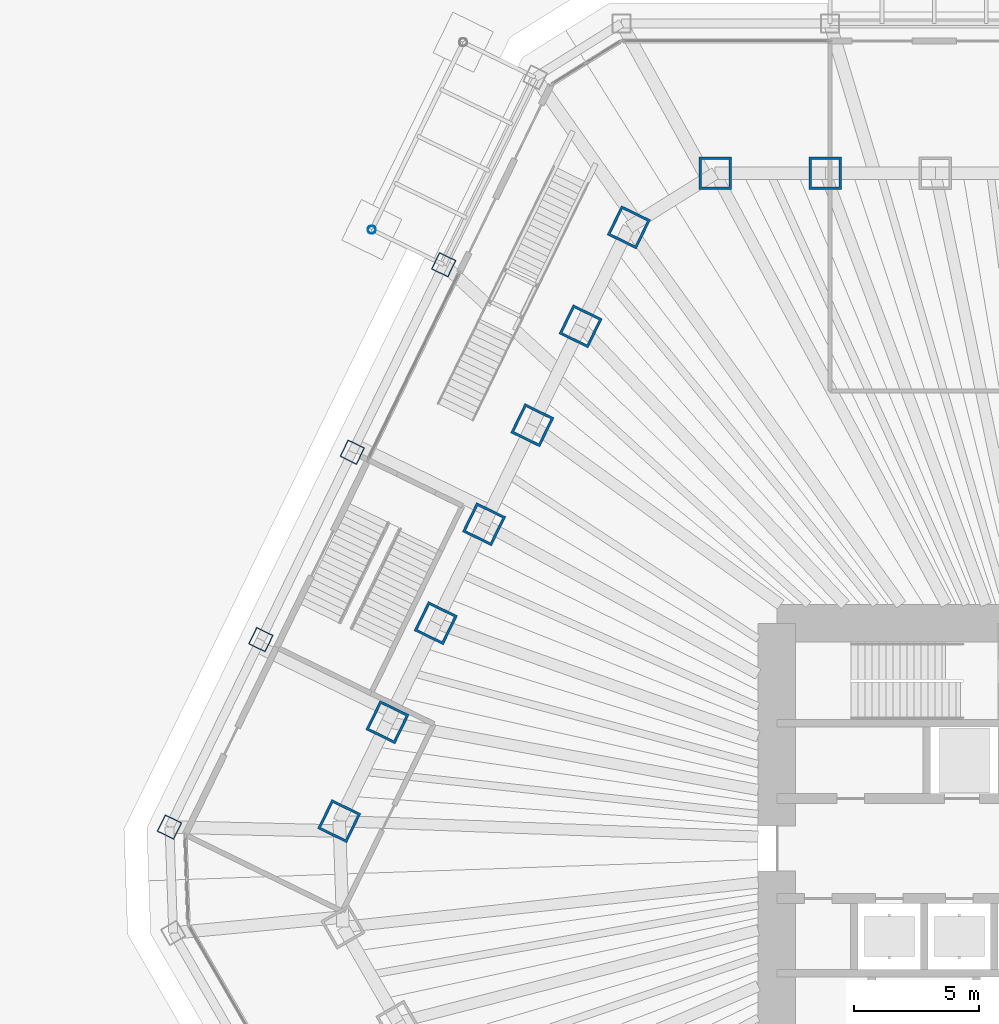
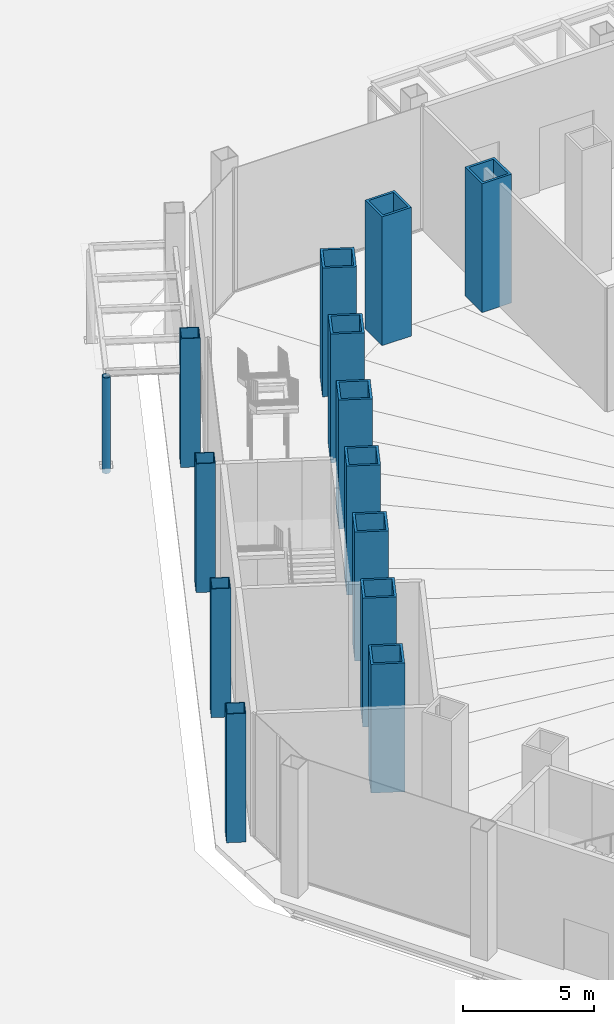
# One storey, part 5 of 45: 14 columns.
"""IFC4 building model written with IfcOpenShell, lengths in metres."""

from ifc_helpers import new_model, si_unit, direction, frame, origin, origin_2d, place, context, subcontext, project, spatial, hollow_rectangle, hollow_circle, extrude, material, material_profile, profile_set, type_object, element, save


model = new_model("IFC4")

# Units and contexts
model_context = context("Model", 3, precision=1e-05, world=origin(), true_north=direction((0.0, 1.0)))
body_context = subcontext(model_context, "Body", "Model", "MODEL_VIEW")
ifc_project = project(units=[si_unit("LENGTHUNIT", "METRE"), si_unit("AREAUNIT", "SQUARE_METRE"), si_unit("VOLUMEUNIT", "CUBIC_METRE"), si_unit("PLANEANGLEUNIT", "RADIAN"), si_unit("MASSUNIT", "GRAM", prefix="KILO")], contexts=[model_context])

# Site, building, storey
site_placement = place(None, origin())
site = spatial("IfcSite", under=ifc_project, at=site_placement, CompositionType="ELEMENT")
building_placement = place(site_placement, origin())
building = spatial("IfcBuilding", under=site, at=building_placement, Name="Qingtian Harvest Tower", CompositionType="ELEMENT")
storey_placement = place(building_placement, origin())
storey = spatial("IfcBuildingStorey", under=building, at=storey_placement, Name="L00", CompositionType="ELEMENT", Elevation=0.0)

# Columns
ifc_material_1 = material(Name="Steel SN490B", Category="steel")
ifc_material_profile_1 = material_profile(ifc_material_1, hollow_circle(Radius=0.161865234375, WallThickness=0.012451171875, at=origin_2d()), Name="CHS324x12.5")
ifc_profile_set_1 = profile_set([ifc_material_profile_1], Name="Steel SN490B")
column_type_1 = type_object("IfcColumnType", Name="Canopy column CC1 CHS324x12.5", PredefinedType="COLUMN", material=ifc_profile_set_1)
column_placement = place(storey_placement, frame((-28.205810546875, 24.748046875, -0.300048828125), z_axis=(0.0, 0.0, 1.0), x_axis=(1.0, 0.0, 0.0)))
element("IfcColumn", 1, at=column_placement, inside=storey, type_object=column_type_1, Name="Canopy column CC1 CN5 3", PredefinedType="COLUMN", context=body_context, shape_type="SweptSolid", body=[
    extrude(hollow_circle(Radius=0.161865234375, WallThickness=0.012451171875, at=origin_2d()), origin(), (0.0, 0.0, 1.0), 4.4599609375),
])
ifc_material_2 = material(Name="Steel SM570MC", Category="steel")
ifc_material_profile_2 = material_profile(ifc_material_2, hollow_rectangle(XDim=0.75, YDim=0.75, WallThickness=0.035888671875, at=origin_2d()), Name="BOX750x750x36")
ifc_profile_set_2 = profile_set([ifc_material_profile_2], Name="Steel SM570MC")
column_type_2 = type_object("IfcColumnType", Name="Podium column PC1 BOX750x750x36", PredefinedType="COLUMN", material=ifc_profile_set_2)
for number, where, z_axis, x_axis, name in (
    (2, (-36.300048828125, 0.852783203125, 0.0), (0.0, 0.0, 1.0), (-0.438371146789, -0.898794046299, 0.0), "Podium column PC1 NW0"),
    (3, (-32.64306640625, 8.350341796875, 0.0), (0.0, 0.0, 1.0), (-0.438371146789, -0.898794046299, 0.0), "Podium column PC1 NW1"),
    (4, (-28.986328125, 15.847900390625, 0.0), (0.0, 0.0, 1.0), (-0.438371146789, -0.898794046299, 0.0), "Podium column PC1 NW2"),
    (5, (-25.32958984375, 23.345458984375, 0.0), (0.0, 0.0, 1.0), (-0.438371146789, -0.898794046299, 0.0), "Podium column PC1 NW3"),
):
    element("IfcColumn", number, at=place(storey_placement, frame(where, z_axis=z_axis, x_axis=x_axis)), inside=storey, type_object=column_type_2, Name=name, PredefinedType="COLUMN", context=body_context, shape_type="SweptSolid", body=[
        extrude(hollow_rectangle(XDim=0.75, YDim=0.75, WallThickness=0.035888671875, at=origin_2d()), origin(), (0.0, 0.0, 1.0), 6.0),
    ])
ifc_material_3 = material(Name="Steel SM570MC", Category="steel")
ifc_material_profile_3 = material_profile(ifc_material_3, hollow_rectangle(XDim=1.300048828125, YDim=1.300048828125, WallThickness=0.10009765625, at=origin_2d()), Name="BOX1300x1300x100")
ifc_profile_set_3 = profile_set([ifc_material_profile_3], Name="Steel SM570MC")
column_type_3 = type_object("IfcColumnType", Name="Tube column TC1 BOX1300x1300x100", PredefinedType="COLUMN", material=ifc_profile_set_3)
for number, where, z_axis, x_axis, name in (
    (6, (-14.471435546875, 27.0, 0.0), (0.0, 0.0, 1.0), (-1.0, 0.0, 0.0), "Tube column TC1 N0"),
    (7, (-10.06689453125, 27.0, 0.0), (0.0, 0.0, 1.0), (-1.0, 0.0, 0.0), "Tube column TC1 N1"),
    (8, (-29.5087890625, 1.08984375, 0.0), (0.0, 0.0, 1.0), (-0.438371146789, -0.898794046299, 0.0), "Tube column TC1 NW0"),
    (9, (-27.577880859375, 5.048828125, 0.0), (0.0, 0.0, 1.0), (-0.438371146789, -0.898794046299, 0.0), "Tube column TC1 NW1"),
    (10, (-25.64697265625, 9.007568359375, 0.0), (0.0, 0.0, 1.0), (-0.438371146789, -0.898794046299, 0.0), "Tube column TC1 NW2"),
    (11, (-23.716064453125, 12.96630859375, 0.0), (0.0, 0.0, 1.0), (-0.438371146789, -0.898794046299, 0.0), "Tube column TC1 NW3"),
    (12, (-21.78515625, 16.92529296875, 0.0), (0.0, 0.0, 1.0), (-0.438371146789, -0.898794046299, 0.0), "Tube column TC1 NW4"),
    (13, (-19.8544921875, 20.884033203125, 0.0), (0.0, 0.0, 1.0), (-0.438371146789, -0.898794046299, 0.0), "Tube column TC1 NW5"),
    (14, (-17.923583984375, 24.8427734375, 0.0), (0.0, 0.0, 1.0), (-0.438371146789, -0.898794046299, 0.0), "Tube column TC1 NW6"),
):
    element("IfcColumn", number, at=place(storey_placement, frame(where, z_axis=z_axis, x_axis=x_axis)), inside=storey, type_object=column_type_3, Name=name, PredefinedType="COLUMN", context=body_context, shape_type="SweptSolid", body=[
        extrude(hollow_rectangle(XDim=1.300048828125, YDim=1.300048828125, WallThickness=0.10009765625, at=origin_2d()), origin(), (0.0, 0.0, 1.0), 6.0),
    ])

save(model, "model.ifc")
